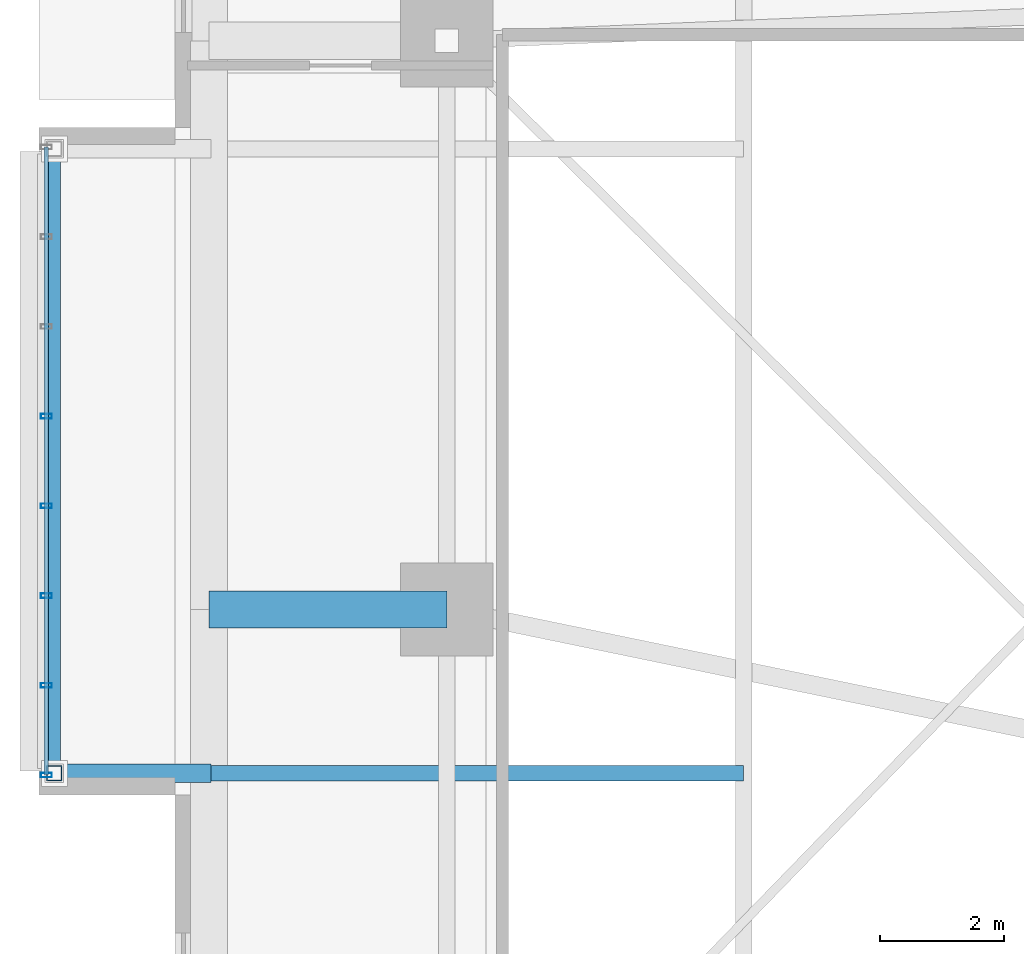
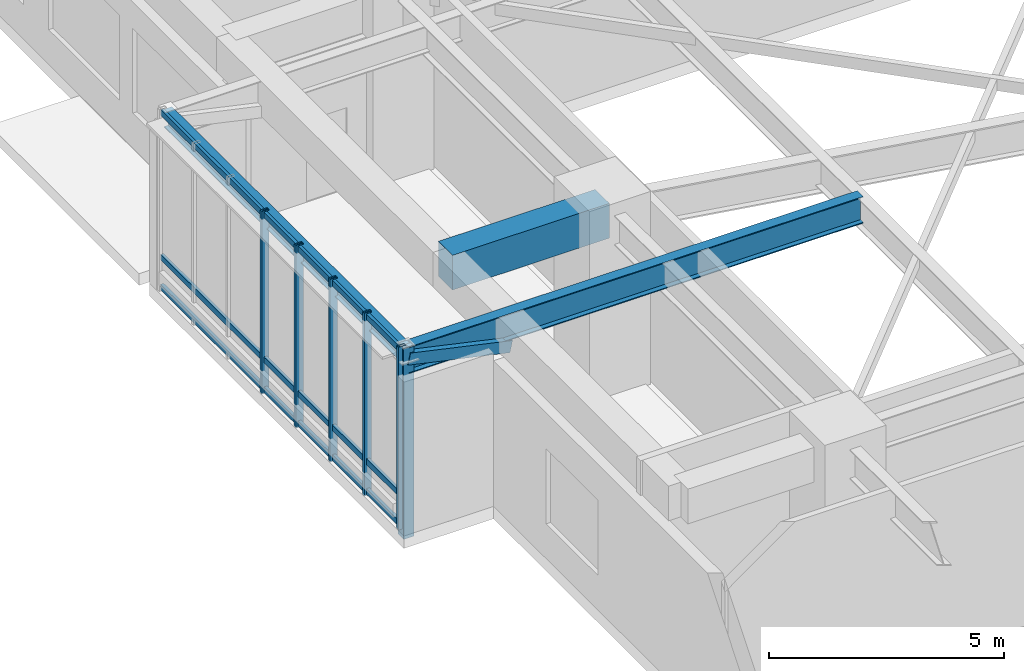
# One storey, part 3 of 26: 10 members, 3 beams, 1 element without a shape of its own.
"""IFC4 building model written with IfcOpenShell, lengths in metres."""

from ifc_helpers import new_model, si_unit, direction, frame, origin, origin_2d, place, context, subcontext, project, spatial, rectangle, hollow_rectangle, i_section, extrude, material, material_profile, profile_set, type_object, element, aggregate, save


model = new_model("IFC4")

# Units and contexts
model_context = context("Model", 3, precision=1e-05, world=origin(), true_north=direction((0.0, 1.0)))
body_context = subcontext(model_context, "Body", "Model", "MODEL_VIEW")
ifc_project = project(units=[si_unit("LENGTHUNIT", "METRE"), si_unit("AREAUNIT", "SQUARE_METRE"), si_unit("VOLUMEUNIT", "CUBIC_METRE"), si_unit("PLANEANGLEUNIT", "RADIAN"), si_unit("MASSUNIT", "GRAM", prefix="KILO")], contexts=[model_context])

# Site, building, storey
site_placement = place(None, origin())
site = spatial("IfcSite", under=ifc_project, at=site_placement, CompositionType="ELEMENT")
building_placement = place(site_placement, origin())
building = spatial("IfcBuilding", under=site, at=building_placement, Name="Zulverin Broadcast Headquarters", CompositionType="ELEMENT")
storey_placement = place(building_placement, frame((0.0, 0.0, 15.0)))
storey = spatial("IfcBuildingStorey", under=building, at=storey_placement, Name="L03", CompositionType="ELEMENT", Elevation=15.0)

# Beams
ifc_material_1 = material(Name="Concrete C40/50", Category="concrete")
ifc_material_profile_1 = material_profile(ifc_material_1, rectangle(XDim=0.60009765625, YDim=0.89990234375, at=origin_2d()), Name="Concrete C40/50", Category="concrete")
ifc_profile_set_1 = profile_set([ifc_material_profile_1], Name="Concrete C40/50")
beam_type_1 = type_object("IfcBeamType", Name="BM-RC-600x900", PredefinedType="BEAM", material=ifc_profile_set_1)
beam_1_placement = place(storey_placement, frame((4.39990234375, 25.199951171875, 4.22998046875), z_axis=(-1.0, 0.0, 0.0), x_axis=(0.0, -1.0, 0.0)))
element("IfcBeam", 1, at=beam_1_placement, inside=storey, type_object=beam_type_1, Name="L03 West Perimeter Bracket Girder WBR-2", PredefinedType="BEAM", context=body_context, shape_type="SweptSolid", body=[
    extrude(rectangle(XDim=0.60009765625, YDim=0.89990234375, at=origin_2d()), origin(), (0.0, 0.0, 1.0), 3.849853515625),
])
ifc_material_2 = material(Name="Structural steel S355JR", Category="steel")
ifc_material_profile_2 = material_profile(ifc_material_2, i_section(OverallWidth=0.19287109375, OverallDepth=0.46728515625, WebThickness=0.011474609375, FlangeThickness=0.01953125, at=origin_2d()), Name="Structural steel S355JR", Category="steel")
ifc_profile_set_2 = profile_set([ifc_material_profile_2], Name="Structural steel S355JR")
beam_type_2 = type_object("IfcBeamType", Name="BM-UB-457", PredefinedType="JOIST", material=ifc_profile_set_2)
beam_2_placement = place(storey_placement, frame((-1.949951171875, 22.550048828125, 4.4462890625), z_axis=(0.0, 1.0, 0.0), x_axis=(-1.0, 0.0, 0.0)))
element("IfcBeam", 2, at=beam_2_placement, inside=storey, type_object=beam_type_2, Name="L03 Studio Box Edge Beam SBOX_POD_UPPER_W1", PredefinedType="JOIST", context=body_context, shape_type="SweptSolid", body=[
    extrude(i_section(OverallWidth=0.19287109375, OverallDepth=0.46728515625, WebThickness=0.011474609375, FlangeThickness=0.01953125, at=origin_2d()), origin(), (0.0, 0.0, 1.0), 10.099853515625),
])
ifc_material_profile_3 = material_profile(ifc_material_2, i_section(OverallWidth=0.255859375, OverallDepth=0.69287109375, WebThickness=0.014404296875, FlangeThickness=0.023681640625, at=origin_2d()), Name="Structural steel S355JR", Category="steel")
ifc_profile_set_3 = profile_set([ifc_material_profile_3], Name="Structural steel S355JR")
beam_type_3 = type_object("IfcBeamType", Name="BM-UB-686", PredefinedType="BEAM", material=ifc_profile_set_3)
beam_3_placement = place(storey_placement, frame((9.199951171875, 22.550048828125, 4.33349609375), z_axis=(-1.0, 0.0, 0.0), x_axis=(0.0, -1.0, 0.0)))
element("IfcBeam", 3, at=beam_3_placement, inside=storey, type_object=beam_type_3, Name="L03 Studio Box Cantilever Girder SBOX_POD_UPPER_W1-1", PredefinedType="BEAM", context=body_context, shape_type="SweptSolid", body=[
    extrude(i_section(OverallWidth=0.255859375, OverallDepth=0.69287109375, WebThickness=0.014404296875, FlangeThickness=0.023681640625, at=origin_2d()), origin(), (0.0, 0.0, 1.0), 11.14990234375),
])

# Curtain wall, members
ifc_material_3 = material(Name="Acoustic triple-glazed studio box curtain wall", Category="aluminium")
curtain_wall_type = type_object("IfcCurtainWallType", Name="CW-SBOX", PredefinedType="USERDEFINED", material=ifc_material_3)
curtain_wall_placement = place(storey_placement, origin())
curtain_wall = element("IfcCurtainWall", 4, at=curtain_wall_placement, inside=storey, type_object=curtain_wall_type, Name="L03 Unitised Curtain Wall CW-L03-SBOX_POD_UPPER_W1-F", ObjectType="UNITISED CURTAIN WALL", PredefinedType="USERDEFINED")
ifc_material_4 = material(Name="Anodized pale-metal aluminium alloy 6063-T6", Category="aluminium")
ifc_material_profile_4 = material_profile(ifc_material_4, hollow_rectangle(XDim=0.074951171875, YDim=0.179931640625, WallThickness=0.0048828125, at=origin_2d()), Name="Anodized pale-metal aluminium alloy 6063-T6", Category="aluminium")
ifc_profile_set_4 = profile_set([ifc_material_profile_4], Name="Anodized pale-metal aluminium alloy 6063-T6")
member_type_1 = type_object("IfcMemberType", Name="CW-MUL-180", PredefinedType="MULLION", material=ifc_profile_set_4)
member_1_placement = place(storey_placement, frame((-2.080078125, 28.32568359375, -0.030029296875), z_axis=(0.0, 0.0, 1.0), x_axis=(0.0, -1.0, 0.0)))
member_1 = element("IfcMember", 5, at=member_1_placement, type_object=member_type_1, Name="CW-L03-SBOX_POD_UPPER_W1-F Mullion 03", PredefinedType="MULLION", context=body_context, shape_type="SweptSolid", body=[
    extrude(hollow_rectangle(XDim=0.074951171875, YDim=0.179931640625, WallThickness=0.0048828125, at=origin_2d()), origin(), (0.0, 0.0, 1.0), 4.739990234375),
])
member_2_placement = place(storey_placement, frame((-2.080078125, 26.874267578125, -0.030029296875), z_axis=(0.0, 0.0, 1.0), x_axis=(0.0, -1.0, 0.0)))
member_2 = element("IfcMember", 6, at=member_2_placement, type_object=member_type_1, Name="CW-L03-SBOX_POD_UPPER_W1-F Mullion 04", PredefinedType="MULLION", context=body_context, shape_type="SweptSolid", body=[
    extrude(hollow_rectangle(XDim=0.074951171875, YDim=0.179931640625, WallThickness=0.0048828125, at=origin_2d()), origin(), (0.0, 0.0, 1.0), 4.739990234375),
])
member_3_placement = place(storey_placement, frame((-2.080078125, 25.4228515625, -0.030029296875), z_axis=(0.0, 0.0, 1.0), x_axis=(0.0, -1.0, 0.0)))
member_3 = element("IfcMember", 7, at=member_3_placement, type_object=member_type_1, Name="CW-L03-SBOX_POD_UPPER_W1-F Mullion 05", PredefinedType="MULLION", context=body_context, shape_type="SweptSolid", body=[
    extrude(hollow_rectangle(XDim=0.074951171875, YDim=0.179931640625, WallThickness=0.0048828125, at=origin_2d()), origin(), (0.0, 0.0, 1.0), 4.739990234375),
])
member_4_placement = place(storey_placement, frame((-2.080078125, 23.971435546875, -0.030029296875), z_axis=(0.0, 0.0, 1.0), x_axis=(0.0, -1.0, 0.0)))
member_4 = element("IfcMember", 8, at=member_4_placement, type_object=member_type_1, Name="CW-L03-SBOX_POD_UPPER_W1-F Mullion 06", PredefinedType="MULLION", context=body_context, shape_type="SweptSolid", body=[
    extrude(hollow_rectangle(XDim=0.074951171875, YDim=0.179931640625, WallThickness=0.0048828125, at=origin_2d()), origin(), (0.0, 0.0, 1.0), 4.739990234375),
])
member_5_placement = place(storey_placement, frame((-2.080078125, 22.52001953125, -0.030029296875), z_axis=(0.0, 0.0, 1.0), x_axis=(0.0, -1.0, 0.0)))
member_5 = element("IfcMember", 9, at=member_5_placement, type_object=member_type_1, Name="CW-L03-SBOX_POD_UPPER_W1-F Mullion 07", PredefinedType="MULLION", context=body_context, shape_type="SweptSolid", body=[
    extrude(hollow_rectangle(XDim=0.074951171875, YDim=0.179931640625, WallThickness=0.0048828125, at=origin_2d()), origin(), (0.0, 0.0, 1.0), 4.739990234375),
])
ifc_material_profile_5 = material_profile(ifc_material_4, hollow_rectangle(XDim=0.074951171875, YDim=0.14990234375, WallThickness=0.0048828125, at=origin_2d()), Name="Anodized pale-metal aluminium alloy 6063-T6", Category="aluminium")
ifc_profile_set_5 = profile_set([ifc_material_profile_5], Name="Anodized pale-metal aluminium alloy 6063-T6")
member_type_2 = type_object("IfcMemberType", Name="CW-TRN-150", PredefinedType="USERDEFINED", material=ifc_profile_set_5)
member_6_placement = place(storey_placement, frame((-2.080078125, 32.679931640625, 0.074951171875), z_axis=(0.0, -1.0, 0.0), x_axis=(1.0, 0.0, 0.0)))
member_6 = element("IfcMember", 10, at=member_6_placement, type_object=member_type_2, Name="CW-L03-SBOX_POD_UPPER_W1-F Transom 0", ObjectType="TRANSOM", PredefinedType="USERDEFINED", context=body_context, shape_type="SweptSolid", body=[
    extrude(hollow_rectangle(XDim=0.074951171875, YDim=0.14990234375, WallThickness=0.0048828125, at=origin_2d()), origin(), (0.0, 0.0, 1.0), 10.159912109375),
])
member_7_placement = place(storey_placement, frame((-2.080078125, 32.679931640625, 0.85009765625), z_axis=(0.0, -1.0, 0.0), x_axis=(1.0, 0.0, 0.0)))
member_7 = element("IfcMember", 11, at=member_7_placement, type_object=member_type_2, Name="CW-L03-SBOX_POD_UPPER_W1-F Transom 1", ObjectType="TRANSOM", PredefinedType="USERDEFINED", context=body_context, shape_type="SweptSolid", body=[
    extrude(hollow_rectangle(XDim=0.074951171875, YDim=0.14990234375, WallThickness=0.0048828125, at=origin_2d()), origin(), (0.0, 0.0, 1.0), 10.159912109375),
])
member_8_placement = place(storey_placement, frame((-2.080078125, 32.679931640625, 4.60498046875), z_axis=(0.0, -1.0, 0.0), x_axis=(1.0, 0.0, 0.0)))
member_8 = element("IfcMember", 12, at=member_8_placement, type_object=member_type_2, Name="CW-L03-SBOX_POD_UPPER_W1-F Transom 2", ObjectType="TRANSOM", PredefinedType="USERDEFINED", context=body_context, shape_type="SweptSolid", body=[
    extrude(hollow_rectangle(XDim=0.074951171875, YDim=0.14990234375, WallThickness=0.0048828125, at=origin_2d()), origin(), (0.0, 0.0, 1.0), 10.159912109375),
])
aggregate(curtain_wall, [member_1, member_2, member_3, member_4, member_5, member_6, member_7, member_8])

# Members
ifc_material_profile_6 = material_profile(ifc_material_2, hollow_rectangle(XDim=0.300048828125, YDim=0.300048828125, WallThickness=0.01611328125, at=origin_2d()), Name="Structural steel S355JR", Category="steel")
ifc_profile_set_6 = profile_set([ifc_material_profile_6], Name="Structural steel S355JR")
member_type_3 = type_object("IfcMemberType", Name="MBR-BLT-DIAG1", PredefinedType="BRACE", material=ifc_profile_set_6)
member_9_placement = place(storey_placement, frame((0.550048828125, 22.550048828125, 3.830078125), z_axis=(-0.976660475394, 0.0, 0.214789002987), x_axis=(0.0, -1.0, 0.0)))
element("IfcMember", 13, at=member_9_placement, inside=storey, type_object=member_type_3, Name="L03 Studio Box Raking Knee Brace SBOX_POD_UPPER_W1-1", PredefinedType="BRACE", context=body_context, shape_type="SweptSolid", body=[
    extrude(hollow_rectangle(XDim=0.300048828125, YDim=0.300048828125, WallThickness=0.01611328125, at=origin_2d()), origin(), (0.0, 0.0, 1.0), 2.559814453125),
])
ifc_material_profile_7 = material_profile(ifc_material_2, hollow_rectangle(XDim=0.25, YDim=0.25, WallThickness=0.01611328125, at=origin_2d()), Name="Structural steel S355JR", Category="steel")
ifc_profile_set_7 = profile_set([ifc_material_profile_7], Name="Structural steel S355JR")
member_type_4 = type_object("IfcMemberType", Name="MBR-BLT-POST", PredefinedType="POST", material=ifc_profile_set_7)
member_10_placement = place(storey_placement, frame((-1.949951171875, 22.550048828125, -0.27001953125), z_axis=(0.0, 0.0, 1.0), x_axis=(1.0, 0.0, 0.0)))
element("IfcMember", 14, at=member_10_placement, inside=storey, type_object=member_type_4, Name="L03 Shifted Studio Box Frame Post SBOX_POD_UPPER_W1-1", PredefinedType="POST", context=body_context, shape_type="SweptSolid", body=[
    extrude(hollow_rectangle(XDim=0.25, YDim=0.25, WallThickness=0.01611328125, at=origin_2d()), origin(), (0.0, 0.0, 1.0), 4.949951171875),
])

save(model, "model.ifc")
